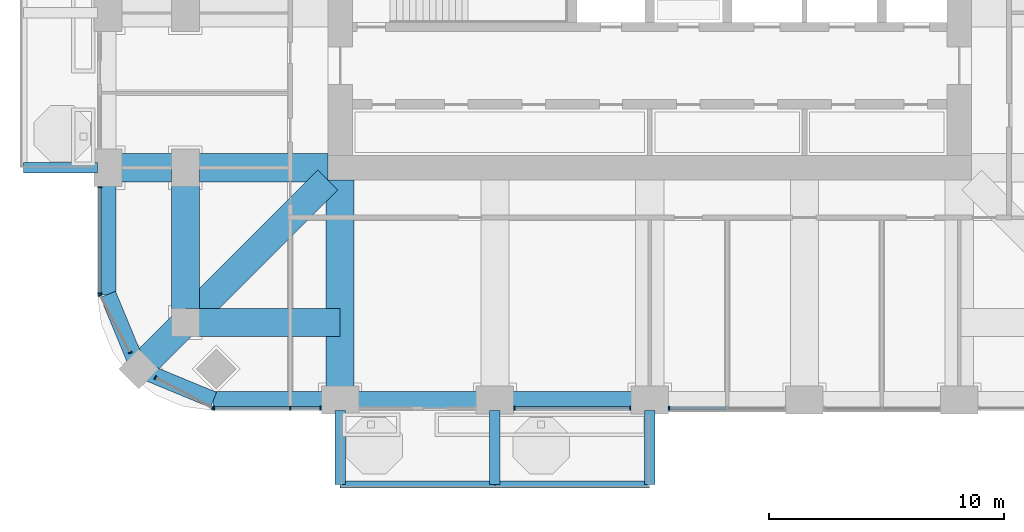
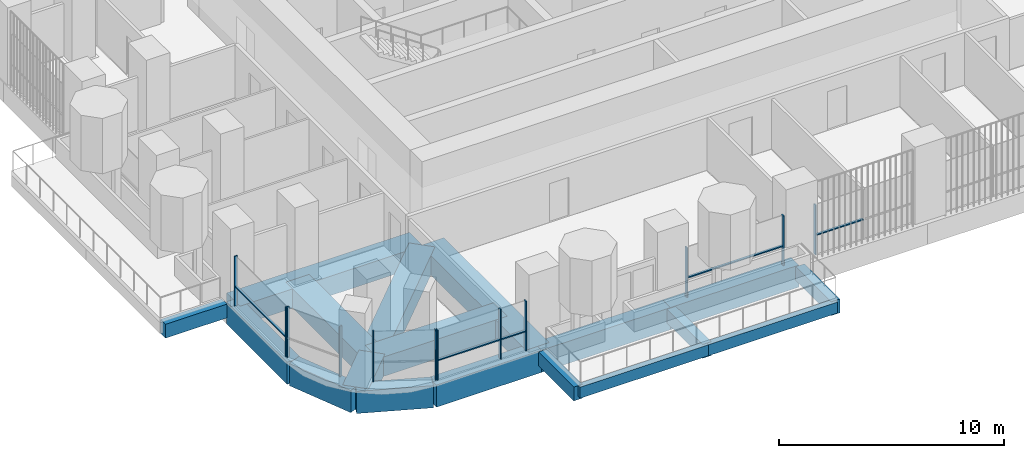
# One storey, part 2 of 20: 18 beams, 17 members, 6 elements without a shape of their own.
"""IFC4 building model written with IfcOpenShell, lengths in metres."""

from ifc_helpers import new_model, si_unit, direction, frame, origin, origin_2d, place, context, subcontext, project, spatial, rectangle, extrude, material, material_profile, profile_set, type_object, element, aggregate, save


model = new_model("IFC4")

# Units and contexts
model_context = context("Model", 3, precision=1e-05, world=origin(), true_north=direction((0.0, 1.0)))
body_context = subcontext(model_context, "Body", "Model", "MODEL_VIEW")
ifc_project = project(units=[si_unit("LENGTHUNIT", "METRE"), si_unit("AREAUNIT", "SQUARE_METRE"), si_unit("VOLUMEUNIT", "CUBIC_METRE"), si_unit("PLANEANGLEUNIT", "RADIAN"), si_unit("MASSUNIT", "GRAM", prefix="KILO")], contexts=[model_context])

# Site, building, storey
site_placement = place(None, origin())
site = spatial("IfcSite", under=ifc_project, at=site_placement, CompositionType="ELEMENT")
building_placement = place(site_placement, origin())
building = spatial("IfcBuilding", under=site, at=building_placement, Name="Cobogo Forest Laboratory Tower", CompositionType="ELEMENT")
storey_placement = place(building_placement, frame((0.0, 0.0, 168.300048828125)))
storey = spatial("IfcBuildingStorey", under=building, at=storey_placement, Name="L38", CompositionType="ELEMENT", Elevation=168.300048828125)

# Beams
ifc_material_1 = material(Name="Concrete HA-40 (C40/50)", Category="concrete")
ifc_material_profile_1 = material_profile(ifc_material_1, rectangle(XDim=0.449951171875, YDim=0.75, at=origin_2d()), Name="RC 450x750")
ifc_profile_set_1 = profile_set([ifc_material_profile_1], Name="Concrete HA-40 (C40/50)")
beam_type_1 = type_object("IfcBeamType", Name="Balcony cantilever beam 450x750", PredefinedType="BEAM", material=ifc_profile_set_1)
for number, where, z_axis, x_axis, name in (
    (1, (13.199951171875, 2.85009765625, -0.625), (0.0, -1.0, 0.0), (1.0, 0.0, 0.0), "CB1 BAL-S1-C1 L38"),
    (2, (19.800048828125, 2.85009765625, -0.625), (0.0, -1.0, 0.0), (1.0, 0.0, 0.0), "CB1 BAL-S1-C2 L38"),
    (3, (26.39990234375, 2.85009765625, -0.625), (0.0, -1.0, 0.0), (1.0, 0.0, 0.0), "CB1 BAL-S1-C3 L38"),
    (4, (2.85009765625, 13.199951171875, -0.625), (-1.0, 0.0, 0.0), (0.0, -1.0, 0.0), "CB1 BAL-W1-C1 L38"),
):
    element("IfcBeam", number, at=place(storey_placement, frame(where, z_axis=z_axis, x_axis=x_axis)), inside=storey, type_object=beam_type_1, Name=name, PredefinedType="BEAM", context=body_context, shape_type="SweptSolid", body=[
        extrude(rectangle(XDim=0.449951171875, YDim=0.75, at=origin_2d()), origin(), (0.0, 0.0, 1.0), 3.150146484375),
    ])
ifc_material_profile_2 = material_profile(ifc_material_1, rectangle(XDim=0.300048828125, YDim=0.60009765625, at=origin_2d()), Name="RC 300x600")
ifc_profile_set_2 = profile_set([ifc_material_profile_2], Name="Concrete HA-40 (C40/50)")
beam_type_2 = type_object("IfcBeamType", Name="Balcony edge beam 300x600", PredefinedType="BEAM", material=ifc_profile_set_2)
beam_1_placement = place(storey_placement, frame((13.199951171875, -0.300048828125, -0.550048828125), z_axis=(1.0, 0.0, 0.0), x_axis=(0.0, 1.0, 0.0)))
element("IfcBeam", 5, at=beam_1_placement, inside=storey, type_object=beam_type_2, Name="BB1 BAL-S1-T1 L38", PredefinedType="BEAM", context=body_context, shape_type="SweptSolid", body=[
    extrude(rectangle(XDim=0.300048828125, YDim=0.60009765625, at=origin_2d()), origin(), (0.0, 0.0, 1.0), 6.60009765625),
])
beam_2_placement = place(storey_placement, frame((19.800048828125, -0.300048828125, -0.550048828125), z_axis=(1.0, 0.0, 0.0), x_axis=(0.0, 1.0, 0.0)))
element("IfcBeam", 6, at=beam_2_placement, inside=storey, type_object=beam_type_2, Name="BB1 BAL-S1-T2 L38", PredefinedType="BEAM", context=body_context, shape_type="SweptSolid", body=[
    extrude(rectangle(XDim=0.300048828125, YDim=0.60009765625, at=origin_2d()), origin(), (0.0, 0.0, 1.0), 6.599853515625),
])
ifc_material_profile_3 = material_profile(ifc_material_1, rectangle(XDim=1.199951171875, YDim=1.050048828125, at=origin_2d()), Name="RC 1200x1050")
ifc_profile_set_3 = profile_set([ifc_material_profile_3], Name="Concrete HA-40 (C40/50)")
beam_type_3 = type_object("IfcBeamType", Name="Laboratory floor wide beam 1200x1050", PredefinedType="BEAM", material=ifc_profile_set_3)
for number, where, z_axis, x_axis, name in (
    (7, (13.199951171875, 12.675048828125, -0.824951171875), (0.0, -1.0, 0.0), (1.0, 0.0, 0.0), "RB1 R-3-S L38"),
    (8, (12.675048828125, 13.199951171875, -0.824951171875), (-1.0, 0.0, 0.0), (0.0, -1.0, 0.0), "RB1 R-C-W L38"),
):
    element("IfcBeam", number, at=place(storey_placement, frame(where, z_axis=z_axis, x_axis=x_axis)), inside=storey, type_object=beam_type_3, Name=name, PredefinedType="BEAM", context=body_context, shape_type="SweptSolid", body=[
        extrude(rectangle(XDim=1.199951171875, YDim=1.050048828125, at=origin_2d()), origin(), (0.0, 0.0, 1.0), 9.375),
    ])
for number, where, z_axis, x_axis, name in (
    (9, (6.60009765625, 6.60009765625, -0.824951171875), (0.0, 1.0, 0.0), (-1.0, 0.0, 0.0), "RB1 G-SW-XC L38"),
    (10, (6.60009765625, 6.60009765625, -0.824951171875), (1.0, 0.0, 0.0), (0.0, 1.0, 0.0), "RB1 G-SW-YC L38"),
):
    element("IfcBeam", number, at=place(storey_placement, frame(where, z_axis=z_axis, x_axis=x_axis)), inside=storey, type_object=beam_type_3, Name=name, PredefinedType="BEAM", context=body_context, shape_type="SweptSolid", body=[
        extrude(rectangle(XDim=1.199951171875, YDim=1.050048828125, at=origin_2d()), origin(), (0.0, 0.0, 1.0), 6.599853515625),
    ])
beam_3_placement = place(storey_placement, frame((4.617919921875, 4.617919921875, -0.824951171875), z_axis=(0.707106781187, 0.707106781187, 0.0), x_axis=(-0.707106781187, 0.707106781187, 0.0)))
element("IfcBeam", 11, at=beam_3_placement, inside=storey, type_object=beam_type_3, Name="RB1 G-SW-D1 L38", PredefinedType="BEAM", context=body_context, shape_type="SweptSolid", body=[
    extrude(rectangle(XDim=1.199951171875, YDim=1.050048828125, at=origin_2d()), origin(), (0.0, 0.0, 1.0), 2.80322265625),
])
beam_4_placement = place(storey_placement, frame((6.60009765625, 6.60009765625, -0.824951171875), z_axis=(0.707106781187, 0.707106781187, 0.0), x_axis=(-0.707106781187, 0.707106781187, 0.0)))
element("IfcBeam", 12, at=beam_4_placement, inside=storey, type_object=beam_type_3, Name="RB1 G-SW-D2 L38", PredefinedType="BEAM", context=body_context, shape_type="SweptSolid", body=[
    extrude(rectangle(XDim=1.199951171875, YDim=1.050048828125, at=origin_2d()), origin(), (0.0, 0.0, 1.0), 8.59130859375),
])

# Curtain wall, members
ifc_material_2 = material(Name="Aluminium curtain wall", Category="aluminium")
curtain_wall_type = type_object("IfcCurtainWallType", Name="CW-2 unitised curtain wall, solar control glazing, laboratory floors zones C and D", PredefinedType="USERDEFINED", material=ifc_material_2)
curtain_wall_1_placement = place(storey_placement, origin())
curtain_wall_1 = element("IfcCurtainWall", 13, at=curtain_wall_1_placement, inside=storey, type_object=curtain_wall_type, Name="Curtain wall 01 L38", ObjectType="UNITISED CURTAIN WALL", PredefinedType="USERDEFINED")
ifc_material_3 = material(Name="Aluminium mullion", Category="aluminium")
ifc_material_profile_4 = material_profile(ifc_material_3, rectangle(XDim=0.06005859375, YDim=0.159912109375, at=origin_2d()), Name="AL 60x160")
ifc_profile_set_4 = profile_set([ifc_material_profile_4], Name="Aluminium mullion")
member_type_1 = type_object("IfcMemberType", Name="MU-1 aluminium mullion 60x160", PredefinedType="MULLION", material=ifc_profile_set_4)
member_1_placement = place(storey_placement, frame((7.830078125, 2.949951171875, 0.0), z_axis=(0.0, 0.0, 1.0), x_axis=(1.0, 0.0, 0.0)))
member_1 = element("IfcMember", 14, at=member_1_placement, type_object=member_type_1, Name="CW-2 mullion 1", PredefinedType="MULLION", context=body_context, shape_type="SweptSolid", body=[
    extrude(rectangle(XDim=0.06005859375, YDim=0.159912109375, at=origin_2d()), origin(), (0.0, 0.0, 1.0), 2.699951171875),
])
member_2_placement = place(storey_placement, frame((11.074951171875, 2.949951171875, 0.0), z_axis=(0.0, 0.0, 1.0), x_axis=(1.0, 0.0, 0.0)))
member_2 = element("IfcMember", 15, at=member_2_placement, type_object=member_type_1, Name="CW-2 mullion 2", PredefinedType="MULLION", context=body_context, shape_type="SweptSolid", body=[
    extrude(rectangle(XDim=0.06005859375, YDim=0.159912109375, at=origin_2d()), origin(), (0.0, 0.0, 1.0), 2.699951171875),
])
member_3_placement = place(storey_placement, frame((12.3701171875, 2.949951171875, 0.0), z_axis=(0.0, 0.0, 1.0), x_axis=(1.0, 0.0, 0.0)))
member_3 = element("IfcMember", 16, at=member_3_placement, type_object=member_type_1, Name="CW-2 mullion 3", PredefinedType="MULLION", context=body_context, shape_type="SweptSolid", body=[
    extrude(rectangle(XDim=0.06005859375, YDim=0.159912109375, at=origin_2d()), origin(), (0.0, 0.0, 1.0), 2.699951171875),
])

curtain_wall_2_placement = place(storey_placement, origin())
curtain_wall_2 = element("IfcCurtainWall", 17, at=curtain_wall_2_placement, inside=storey, type_object=curtain_wall_type, Name="Curtain wall 03 L38", ObjectType="UNITISED CURTAIN WALL", PredefinedType="USERDEFINED")
member_4_placement = place(storey_placement, frame((20.6298828125, 2.949951171875, 0.0), z_axis=(0.0, 0.0, 1.0), x_axis=(1.0, 0.0, 0.0)))
member_4 = element("IfcMember", 18, at=member_4_placement, type_object=member_type_1, Name="CW-2 mullion 1", PredefinedType="MULLION", context=body_context, shape_type="SweptSolid", body=[
    extrude(rectangle(XDim=0.06005859375, YDim=0.159912109375, at=origin_2d()), origin(), (0.0, 0.0, 1.0), 2.699951171875),
])
member_5_placement = place(storey_placement, frame((25.570068359375, 2.949951171875, 0.0), z_axis=(0.0, 0.0, 1.0), x_axis=(1.0, 0.0, 0.0)))
member_5 = element("IfcMember", 19, at=member_5_placement, type_object=member_type_1, Name="CW-2 mullion 2", PredefinedType="MULLION", context=body_context, shape_type="SweptSolid", body=[
    extrude(rectangle(XDim=0.06005859375, YDim=0.159912109375, at=origin_2d()), origin(), (0.0, 0.0, 1.0), 2.699951171875),
])

# Curtain wall, member
curtain_wall_3_placement = place(storey_placement, origin())
curtain_wall_3 = element("IfcCurtainWall", 20, at=curtain_wall_3_placement, inside=storey, type_object=curtain_wall_type, Name="Curtain wall 04 L38", ObjectType="UNITISED CURTAIN WALL", PredefinedType="USERDEFINED")
member_6_placement = place(storey_placement, frame((27.22998046875, 2.949951171875, 0.0), z_axis=(0.0, 0.0, 1.0), x_axis=(1.0, 0.0, 0.0)))
member_6 = element("IfcMember", 21, at=member_6_placement, type_object=member_type_1, Name="CW-2 mullion 1", PredefinedType="MULLION", context=body_context, shape_type="SweptSolid", body=[
    extrude(rectangle(XDim=0.06005859375, YDim=0.159912109375, at=origin_2d()), origin(), (0.0, 0.0, 1.0), 2.699951171875),
])

# Curtain wall, members
curtain_wall_4_placement = place(storey_placement, origin())
curtain_wall_4 = element("IfcCurtainWall", 22, at=curtain_wall_4_placement, inside=storey, type_object=curtain_wall_type, Name="Curtain wall 28 L38", ObjectType="UNITISED CURTAIN WALL", PredefinedType="USERDEFINED")
member_7_placement = place(storey_placement, frame((2.949951171875, 12.3701171875, 0.0), z_axis=(0.0, 0.0, 1.0), x_axis=(0.0, -1.0, 0.0)))
member_7 = element("IfcMember", 23, at=member_7_placement, type_object=member_type_1, Name="CW-2 mullion 1", PredefinedType="MULLION", context=body_context, shape_type="SweptSolid", body=[
    extrude(rectangle(XDim=0.06005859375, YDim=0.159912109375, at=origin_2d()), origin(), (0.0, 0.0, 1.0), 2.699951171875),
])
member_8_placement = place(storey_placement, frame((2.949951171875, 7.830078125, 0.0), z_axis=(0.0, 0.0, 1.0), x_axis=(0.0, -1.0, 0.0)))
member_8 = element("IfcMember", 24, at=member_8_placement, type_object=member_type_1, Name="CW-2 mullion 2", PredefinedType="MULLION", context=body_context, shape_type="SweptSolid", body=[
    extrude(rectangle(XDim=0.06005859375, YDim=0.159912109375, at=origin_2d()), origin(), (0.0, 0.0, 1.0), 2.699951171875),
])

curtain_wall_5_placement = place(storey_placement, origin())
curtain_wall_5 = element("IfcCurtainWall", 25, at=curtain_wall_5_placement, inside=storey, type_object=curtain_wall_type, Name="Curtain wall 29 L38", ObjectType="UNITISED CURTAIN WALL", PredefinedType="USERDEFINED")
member_9_placement = place(storey_placement, frame((2.9638671875, 7.7734375, 0.0), z_axis=(0.0, 0.0, 1.0), x_axis=(0.464283818822, -0.885686477022, 0.0)))
member_9 = element("IfcMember", 26, at=member_9_placement, type_object=member_type_1, Name="CW-2 mullion 1", PredefinedType="MULLION", context=body_context, shape_type="SweptSolid", body=[
    extrude(rectangle(XDim=0.06005859375, YDim=0.159912109375, at=origin_2d()), origin(), (0.0, 0.0, 1.0), 2.699951171875),
])
member_10_placement = place(storey_placement, frame((4.2490234375, 5.322021484375, 0.0), z_axis=(0.0, 0.0, 1.0), x_axis=(0.464283818822, -0.885686477022, 0.0)))
member_10 = element("IfcMember", 27, at=member_10_placement, type_object=member_type_1, Name="CW-2 mullion 2", PredefinedType="MULLION", context=body_context, shape_type="SweptSolid", body=[
    extrude(rectangle(XDim=0.06005859375, YDim=0.159912109375, at=origin_2d()), origin(), (0.0, 0.0, 1.0), 2.699951171875),
])
aggregate(curtain_wall_5, [member_9, member_10])

curtain_wall_6_placement = place(storey_placement, origin())
curtain_wall_6 = element("IfcCurtainWall", 28, at=curtain_wall_6_placement, inside=storey, type_object=curtain_wall_type, Name="Curtain wall 30 L38", ObjectType="UNITISED CURTAIN WALL", PredefinedType="USERDEFINED")
member_11_placement = place(storey_placement, frame((5.322021484375, 4.2490234375, 0.0), z_axis=(0.0, 0.0, 1.0), x_axis=(0.885686477022, -0.464283818822, 0.0)))
member_11 = element("IfcMember", 29, at=member_11_placement, type_object=member_type_1, Name="CW-2 mullion 1", PredefinedType="MULLION", context=body_context, shape_type="SweptSolid", body=[
    extrude(rectangle(XDim=0.06005859375, YDim=0.159912109375, at=origin_2d()), origin(), (0.0, 0.0, 1.0), 2.699951171875),
])
member_12_placement = place(storey_placement, frame((7.7734375, 2.9638671875, 0.0), z_axis=(0.0, 0.0, 1.0), x_axis=(0.885686477022, -0.464283818822, 0.0)))
member_12 = element("IfcMember", 30, at=member_12_placement, type_object=member_type_1, Name="CW-2 mullion 2", PredefinedType="MULLION", context=body_context, shape_type="SweptSolid", body=[
    extrude(rectangle(XDim=0.06005859375, YDim=0.159912109375, at=origin_2d()), origin(), (0.0, 0.0, 1.0), 2.699951171875),
])
aggregate(curtain_wall_6, [member_11, member_12])

# Beams
ifc_material_profile_5 = material_profile(ifc_material_1, rectangle(XDim=0.699951171875, YDim=1.199951171875, at=origin_2d()), Name="RC 700x1200")
ifc_profile_set_5 = profile_set([ifc_material_profile_5], Name="Concrete HA-40 (C40/50)")
beam_type_4 = type_object("IfcBeamType", Name="Perimeter edge beam 700x1200", PredefinedType="BEAM", material=ifc_profile_set_5)
beam_5_placement = place(storey_placement, frame((13.199951171875, 3.300048828125, -0.900146484375), z_axis=(1.0, 0.0, 0.0), x_axis=(0.0, 1.0, 0.0)))
element("IfcBeam", 31, at=beam_5_placement, inside=storey, type_object=beam_type_4, Name="EB1 E-S1 L38", PredefinedType="BEAM", context=body_context, shape_type="SweptSolid", body=[
    extrude(rectangle(XDim=0.699951171875, YDim=1.199951171875, at=origin_2d()), origin(), (0.0, 0.0, 1.0), 6.60009765625),
])
beam_6_placement = place(storey_placement, frame((19.800048828125, 3.300048828125, -0.900146484375), z_axis=(1.0, 0.0, 0.0), x_axis=(0.0, 1.0, 0.0)))
element("IfcBeam", 32, at=beam_6_placement, inside=storey, type_object=beam_type_4, Name="EB1 E-S2 L38", PredefinedType="BEAM", context=body_context, shape_type="SweptSolid", body=[
    extrude(rectangle(XDim=0.699951171875, YDim=1.199951171875, at=origin_2d()), origin(), (0.0, 0.0, 1.0), 6.599853515625),
])
beam_7_placement = place(storey_placement, frame((13.199951171875, 3.300048828125, -0.900146484375), z_axis=(-1.0, 0.0, 0.0), x_axis=(0.0, -1.0, 0.0)))
element("IfcBeam", 33, at=beam_7_placement, inside=storey, type_object=beam_type_4, Name="EB1 E-SWS1 L38", PredefinedType="BEAM", context=body_context, shape_type="SweptSolid", body=[
    extrude(rectangle(XDim=0.699951171875, YDim=1.199951171875, at=origin_2d()), origin(), (0.0, 0.0, 1.0), 5.39990234375),
])
beam_8_placement = place(storey_placement, frame((7.800048828125, 3.300048828125, -0.900146484375), z_axis=(-0.923901072997, 0.382631424892, 0.0), x_axis=(-0.382631424892, -0.923901072997, 0.0)))
element("IfcBeam", 34, at=beam_8_placement, inside=storey, type_object=beam_type_4, Name="EB1 E-SWS2 L38", PredefinedType="BEAM", context=body_context, shape_type="SweptSolid", body=[
    extrude(rectangle(XDim=0.699951171875, YDim=1.199951171875, at=origin_2d()), origin(), (0.0, 0.0, 1.0), 3.4443359375),
])
beam_9_placement = place(storey_placement, frame((3.300048828125, 13.199951171875, -0.900146484375), z_axis=(0.0, -1.0, 0.0), x_axis=(1.0, 0.0, 0.0)))
element("IfcBeam", 35, at=beam_9_placement, inside=storey, type_object=beam_type_4, Name="EB1 E-SWW1 L38", PredefinedType="BEAM", context=body_context, shape_type="SweptSolid", body=[
    extrude(rectangle(XDim=0.699951171875, YDim=1.199951171875, at=origin_2d()), origin(), (0.0, 0.0, 1.0), 5.39990234375),
])
beam_10_placement = place(storey_placement, frame((3.300048828125, 7.800048828125, -0.900146484375), z_axis=(0.382631424892, -0.923901072997, 0.0), x_axis=(0.923901072997, 0.382631424892, 0.0)))
element("IfcBeam", 36, at=beam_10_placement, inside=storey, type_object=beam_type_4, Name="EB1 E-SWW2 L38", PredefinedType="BEAM", context=body_context, shape_type="SweptSolid", body=[
    extrude(rectangle(XDim=0.699951171875, YDim=1.199951171875, at=origin_2d()), origin(), (0.0, 0.0, 1.0), 3.4443359375),
])

# Member
ifc_material_4 = material(Name="Aluminium transom", Category="aluminium")
ifc_material_profile_6 = material_profile(ifc_material_4, rectangle(XDim=0.1201171875, YDim=0.06005859375, at=origin_2d()), Name="AL 60x120")
ifc_profile_set_6 = profile_set([ifc_material_profile_6], Name="Aluminium transom")
member_type_2 = type_object("IfcMemberType", Name="TR-1 aluminium transom 60x120", PredefinedType="USERDEFINED", material=ifc_profile_set_6)
member_13_placement = place(storey_placement, frame((7.860107421875, 2.949951171875, 1.050048828125), z_axis=(1.0, 0.0, 0.0), x_axis=(0.0, 1.0, 0.0)))
member_13 = element("IfcMember", 37, at=member_13_placement, type_object=member_type_2, Name="CW-2 transom 1.1", ObjectType="TRANSOM", PredefinedType="USERDEFINED", context=body_context, shape_type="SweptSolid", body=[
    extrude(rectangle(XDim=0.1201171875, YDim=0.06005859375, at=origin_2d()), origin(), (0.0, 0.0, 1.0), 3.184814453125),
])

member_14_placement = place(storey_placement, frame((11.10498046875, 2.949951171875, 1.050048828125), z_axis=(1.0, 0.0, 0.0), x_axis=(0.0, 1.0, 0.0)))
member_14 = element("IfcMember", 38, at=member_14_placement, type_object=member_type_2, Name="CW-2 transom 2.1", ObjectType="TRANSOM", PredefinedType="USERDEFINED", context=body_context, shape_type="SweptSolid", body=[
    extrude(rectangle(XDim=0.1201171875, YDim=0.06005859375, at=origin_2d()), origin(), (0.0, 0.0, 1.0), 1.235107421875),
])

aggregate(curtain_wall_1, [member_1, member_2, member_3, member_13, member_14])

member_15_placement = place(storey_placement, frame((20.659912109375, 2.949951171875, 1.050048828125), z_axis=(1.0, 0.0, 0.0), x_axis=(0.0, 1.0, 0.0)))
member_15 = element("IfcMember", 39, at=member_15_placement, type_object=member_type_2, Name="CW-2 transom 1.1", ObjectType="TRANSOM", PredefinedType="USERDEFINED", context=body_context, shape_type="SweptSolid", body=[
    extrude(rectangle(XDim=0.1201171875, YDim=0.06005859375, at=origin_2d()), origin(), (0.0, 0.0, 1.0), 4.880126953125),
])

aggregate(curtain_wall_2, [member_4, member_5, member_15])

member_16_placement = place(storey_placement, frame((27.260009765625, 2.949951171875, 1.050048828125), z_axis=(1.0, 0.0, 0.0), x_axis=(0.0, 1.0, 0.0)))
member_16 = element("IfcMember", 40, at=member_16_placement, type_object=member_type_2, Name="CW-2 transom 1.1", ObjectType="TRANSOM", PredefinedType="USERDEFINED", context=body_context, shape_type="SweptSolid", body=[
    extrude(rectangle(XDim=0.1201171875, YDim=0.06005859375, at=origin_2d()), origin(), (0.0, 0.0, 1.0), 2.409912109375),
])

aggregate(curtain_wall_3, [member_6, member_16])

member_17_placement = place(storey_placement, frame((2.949951171875, 12.340087890625, 1.050048828125), z_axis=(0.0, -1.0, 0.0), x_axis=(1.0, 0.0, 0.0)))
member_17 = element("IfcMember", 41, at=member_17_placement, type_object=member_type_2, Name="CW-2 transom 1.1", ObjectType="TRANSOM", PredefinedType="USERDEFINED", context=body_context, shape_type="SweptSolid", body=[
    extrude(rectangle(XDim=0.1201171875, YDim=0.06005859375, at=origin_2d()), origin(), (0.0, 0.0, 1.0), 4.47998046875),
])

aggregate(curtain_wall_4, [member_7, member_8, member_17])

save(model, "model.ifc")
